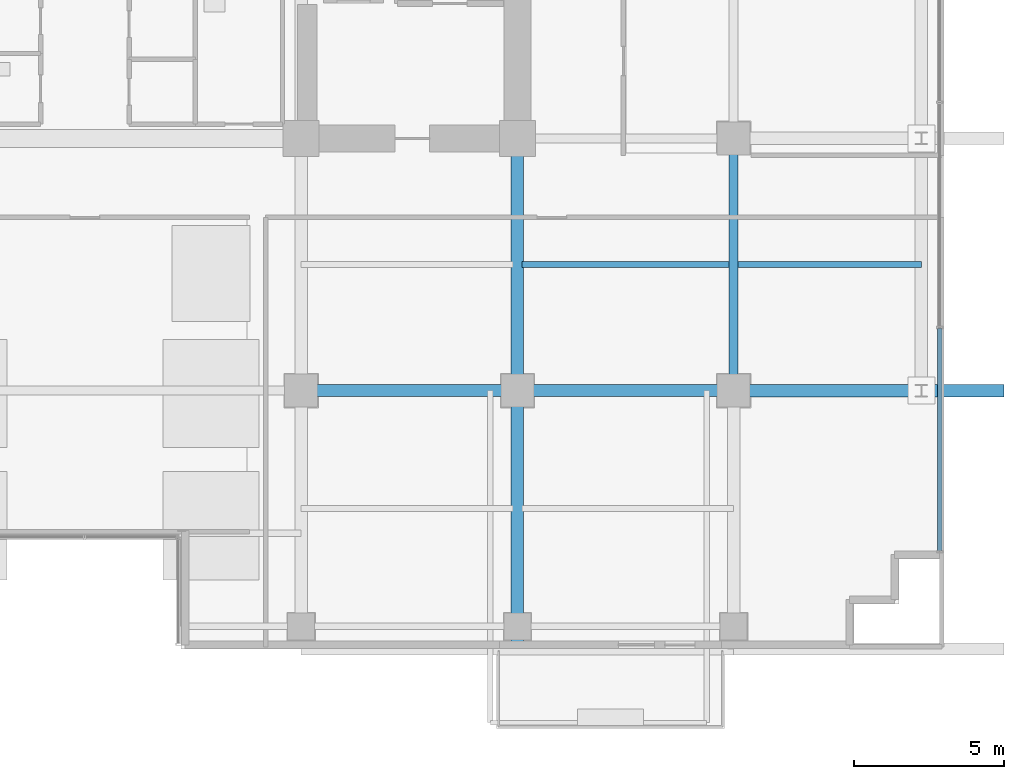
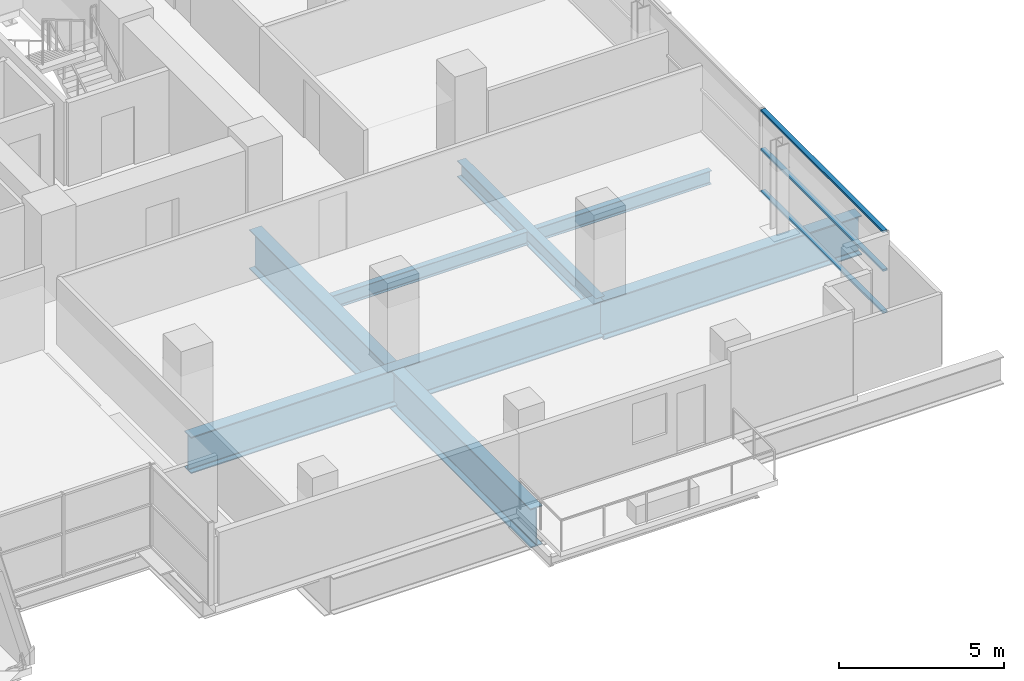
# One storey, part 12 of 32: 6 beams, 3 members, 1 element without a shape of its own.
"""IFC4 building model written with IfcOpenShell, lengths in metres."""

from ifc_helpers import new_model, si_unit, direction, frame, origin, origin_2d, place, context, subcontext, project, spatial, hollow_rectangle, i_section, extrude, source, transform, mapped, material, layer, layer_set, material_profile, profile_set, type_object, element, aggregate, save


model = new_model("IFC4")

# Units and contexts
model_context = context("Model", 3, precision=1e-05, world=origin(), true_north=direction((0.0, 1.0)))
body_context = subcontext(model_context, "Body", "Model", "MODEL_VIEW")
ifc_project = project(units=[si_unit("LENGTHUNIT", "METRE"), si_unit("AREAUNIT", "SQUARE_METRE"), si_unit("VOLUMEUNIT", "CUBIC_METRE"), si_unit("PLANEANGLEUNIT", "RADIAN"), si_unit("MASSUNIT", "GRAM", prefix="KILO")], contexts=[model_context])

# Site, building, storey
site_placement = place(None, origin())
site = spatial("IfcSite", under=ifc_project, at=site_placement, CompositionType="ELEMENT")
building_placement = place(site_placement, origin())
building = spatial("IfcBuilding", under=site, at=building_placement, Name="Zarnakvel Exchange Tower", CompositionType="ELEMENT")
storey_placement = place(building_placement, frame((0.0, 0.0, 27.39990234375)))
storey = spatial("IfcBuildingStorey", under=building, at=storey_placement, Name="L06", CompositionType="ELEMENT", Elevation=27.39990234375)

# Beams
ifc_material_1 = material(Name="Steel S355", Category="steel")
ifc_material_profile_1 = material_profile(ifc_material_1, i_section(OverallWidth=0.199951171875, OverallDepth=0.5, WebThickness=0.01025390625, FlangeThickness=0.01611328125, FilletRadius=0.02099609375, at=origin_2d()))
ifc_profile_set_1 = profile_set([ifc_material_profile_1], Name="Steel S355")
beam_type_1 = type_object("IfcBeamType", Name="B-04", PredefinedType="JOIST", material=ifc_profile_set_1)
beam_1_placement = place(storey_placement, frame((14.554931640625, -5.39990234375, -0.5), z_axis=(1.0, 0.0, 0.0), x_axis=(0.0, 1.0, 0.0)))
element("IfcBeam", 1, at=beam_1_placement, inside=storey, type_object=beam_type_1, Name="L06 Composite Floor Secondary Joist", PredefinedType="JOIST", context=body_context, shape_type="SweptSolid", body=[
    extrude(i_section(OverallWidth=0.199951171875, OverallDepth=0.5, WebThickness=0.01025390625, FlangeThickness=0.01611328125, FilletRadius=0.02099609375, at=origin_2d()), origin(), (0.0, 0.0, 1.0), 6.89501953125),
])
beam_2_placement = place(storey_placement, frame((21.75, -5.39990234375, -0.5), z_axis=(1.0, 0.0, 0.0), x_axis=(0.0, 1.0, 0.0)))
element("IfcBeam", 2, at=beam_2_placement, inside=storey, type_object=beam_type_1, Name="L06 Composite Floor Secondary Joist", PredefinedType="JOIST", context=body_context, shape_type="SweptSolid", body=[
    extrude(i_section(OverallWidth=0.199951171875, OverallDepth=0.5, WebThickness=0.01025390625, FlangeThickness=0.01611328125, FilletRadius=0.02099609375, at=origin_2d()), origin(), (0.0, 0.0, 1.0), 6.10009765625),
])
ifc_material_profile_2 = material_profile(ifc_material_1, i_section(OverallWidth=0.300048828125, OverallDepth=0.60009765625, WebThickness=0.015380859375, FlangeThickness=0.030029296875, FilletRadius=0.027099609375, at=origin_2d()))
ifc_profile_set_2 = profile_set([ifc_material_profile_2], Name="Steel S355")
beam_type_2 = type_object("IfcBeamType", Name="G-04", PredefinedType="BEAM", material=ifc_profile_set_2)
beam_3_placement = place(storey_placement, frame((21.60009765625, -9.60009765625, -0.5498046875), z_axis=(0.0, 1.0, 0.0), x_axis=(-1.0, 0.0, 0.0)))
element("IfcBeam", 3, at=beam_3_placement, inside=storey, type_object=beam_type_2, Name="L06 Tower N-S Frame Beam", PredefinedType="BEAM", context=body_context, shape_type="SweptSolid", body=[
    extrude(i_section(OverallWidth=0.300048828125, OverallDepth=0.60009765625, WebThickness=0.015380859375, FlangeThickness=0.030029296875, FilletRadius=0.027099609375, at=origin_2d()), origin(), (0.0, 0.0, 1.0), 8.400146484375),
])
ifc_material_2 = material(Name="Steel S460", Category="steel")
ifc_material_profile_3 = material_profile(ifc_material_2, i_section(OverallWidth=0.419921875, OverallDepth=1.449951171875, WebThickness=0.02392578125, FlangeThickness=0.0400390625, FilletRadius=0.030029296875, at=origin_2d()))
ifc_profile_set_3 = profile_set([ifc_material_profile_3], Name="Steel S460")
beam_type_3 = type_object("IfcBeamType", Name="TG-01", PredefinedType="BEAM", material=ifc_profile_set_3)
beam_4_placement = place(storey_placement, frame((14.39990234375, -18.199951171875, -0.974853515625), z_axis=(0.0, 1.0, 0.0), x_axis=(-1.0, 0.0, 0.0)))
element("IfcBeam", 4, at=beam_4_placement, inside=storey, type_object=beam_type_3, Name="L06 Transfer Girder TG-01 Outer East", PredefinedType="BEAM", context=body_context, shape_type="SweptSolid", body=[
    extrude(i_section(OverallWidth=0.419921875, OverallDepth=1.449951171875, WebThickness=0.02392578125, FlangeThickness=0.0400390625, FilletRadius=0.030029296875, at=origin_2d()), origin(), (0.0, 0.0, 1.0), 17.0),
])
beam_5_placement = place(storey_placement, frame((21.60009765625, -9.60009765625, -0.974853515625), z_axis=(1.0, 0.0, 0.0), x_axis=(0.0, 1.0, 0.0)))
element("IfcBeam", 5, at=beam_5_placement, inside=storey, type_object=beam_type_3, Name="L06 Wing Transfer Girder East", PredefinedType="BEAM", context=body_context, shape_type="SweptSolid", body=[
    extrude(i_section(OverallWidth=0.419921875, OverallDepth=1.449951171875, WebThickness=0.02392578125, FlangeThickness=0.0400390625, FilletRadius=0.030029296875, at=origin_2d()), origin(), (0.0, 0.0, 1.0), 9.0),
])
ifc_material_profile_4 = material_profile(ifc_material_2, i_section(OverallWidth=0.39990234375, OverallDepth=1.35009765625, WebThickness=0.02197265625, FlangeThickness=0.0380859375, FilletRadius=0.030029296875, at=origin_2d()))
ifc_profile_set_4 = profile_set([ifc_material_profile_4], Name="Steel S460")
beam_type_4 = type_object("IfcBeamType", Name="TG-02", PredefinedType="BEAM", material=ifc_profile_set_4)
beam_6_placement = place(storey_placement, frame((7.199951171875, -9.60009765625, -0.9248046875), z_axis=(1.0, 0.0, 0.0), x_axis=(0.0, 1.0, 0.0)))
element("IfcBeam", 6, at=beam_6_placement, inside=storey, type_object=beam_type_4, Name="L06 Transfer Girder TG-02 Grid-C East", PredefinedType="BEAM", context=body_context, shape_type="SweptSolid", body=[
    extrude(i_section(OverallWidth=0.39990234375, OverallDepth=1.35009765625, WebThickness=0.02197265625, FlangeThickness=0.0380859375, FilletRadius=0.030029296875, at=origin_2d()), origin(), (0.0, 0.0, 1.0), 14.400146484375),
])

# Curtain wall, members
ifc_material_3 = material(Name="Architectural Bronze Anodised Aluminium", Category="aluminium")
ifc_layer = layer(ifc_material_3, 0.199951171875)
ifc_layer_set = layer_set([ifc_layer], Name="Architectural Bronze Anodised Aluminium")
curtain_wall_type = type_object("IfcCurtainWallType", Name="CW-04", PredefinedType="NOTDEFINED", material=ifc_layer_set)
curtain_wall_placement = place(storey_placement, origin())
curtain_wall = element("IfcCurtainWall", 7, at=curtain_wall_placement, inside=storey, type_object=curtain_wall_type, Name="L06 Curtain Wall CW-L06-E1 (CW-04)", PredefinedType="NOTDEFINED")
ifc_material_profile_5 = material_profile(ifc_material_3, hollow_rectangle(XDim=0.159912109375, YDim=0.074951171875, WallThickness=0.00390625, at=origin_2d()))
ifc_profile_set_5 = profile_set([ifc_material_profile_5], Name="Architectural Bronze Anodised Aluminium")
member_type = type_object("IfcMemberType", Name="CWT-04", PredefinedType="USERDEFINED", material=ifc_profile_set_5)
shared_shape = source(origin(), body_context, "Body", "SweptSolid", [
    extrude(hollow_rectangle(XDim=0.159912109375, YDim=0.074951171875, WallThickness=0.00390625, at=origin_2d()), origin(), (0.0, 0.0, 1.0), 7.387451171875),
])
member_1_placement = place(storey_placement, frame((28.4599609375, -14.925048828125, 0.03759765625), z_axis=(0.0, 1.0, 0.0), x_axis=(-1.0, 0.0, 0.0)))
member_1 = element("IfcMember", 8, at=member_1_placement, type_object=member_type, Name="CW-04 transom 1.1", ObjectType="TRANSOM", PredefinedType="USERDEFINED", context=body_context, shape_type="MappedRepresentation", body=[
    mapped(shared_shape, transform((0.0, 0.0, 0.0), x_axis=(1.0, 0.0, 0.0), y_axis=(0.0, 1.0, 0.0), z_axis=(0.0, 0.0, 1.0), scale=1.0)),
])
member_2_placement = place(storey_placement, frame((28.4599609375, -14.925048828125, 1.588623046875), z_axis=(0.0, 1.0, 0.0), x_axis=(-1.0, 0.0, 0.0)))
member_2 = element("IfcMember", 9, at=member_2_placement, type_object=member_type, Name="CW-04 transom 1.2", ObjectType="TRANSOM", PredefinedType="USERDEFINED", context=body_context, shape_type="MappedRepresentation", body=[
    mapped(shared_shape, transform((0.0, 0.0, 0.0), x_axis=(1.0, 0.0, 0.0), y_axis=(0.0, 1.0, 0.0), z_axis=(0.0, 0.0, 1.0), scale=1.0)),
])
member_3_placement = place(storey_placement, frame((28.4599609375, -14.925048828125, 3.017578125), z_axis=(0.0, 1.0, 0.0), x_axis=(-1.0, 0.0, 0.0)))
member_3 = element("IfcMember", 10, at=member_3_placement, type_object=member_type, Name="CW-04 transom 1.3", ObjectType="TRANSOM", PredefinedType="USERDEFINED", context=body_context, shape_type="MappedRepresentation", body=[
    mapped(shared_shape, transform((0.0, 0.0, 0.0), x_axis=(1.0, 0.0, 0.0), y_axis=(0.0, 1.0, 0.0), z_axis=(0.0, 0.0, 1.0), scale=1.0)),
])
aggregate(curtain_wall, [member_1, member_2, member_3])

save(model, "model.ifc")
